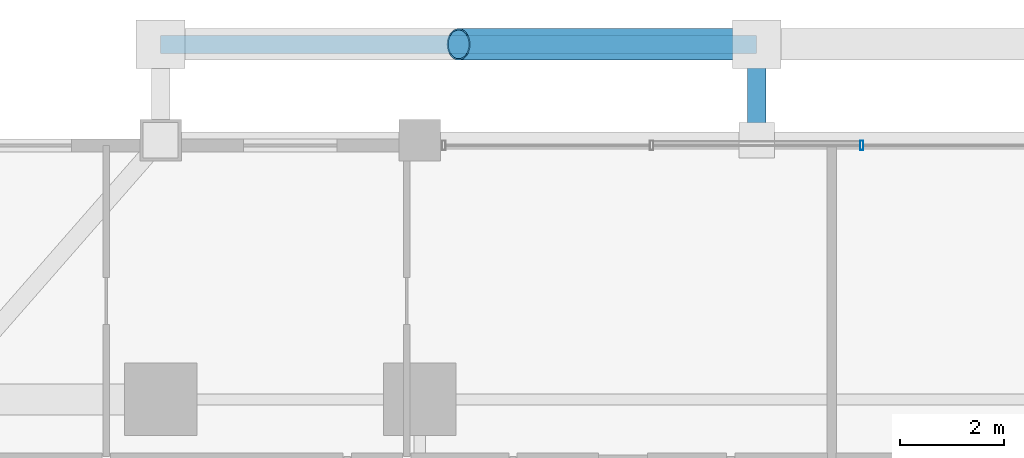
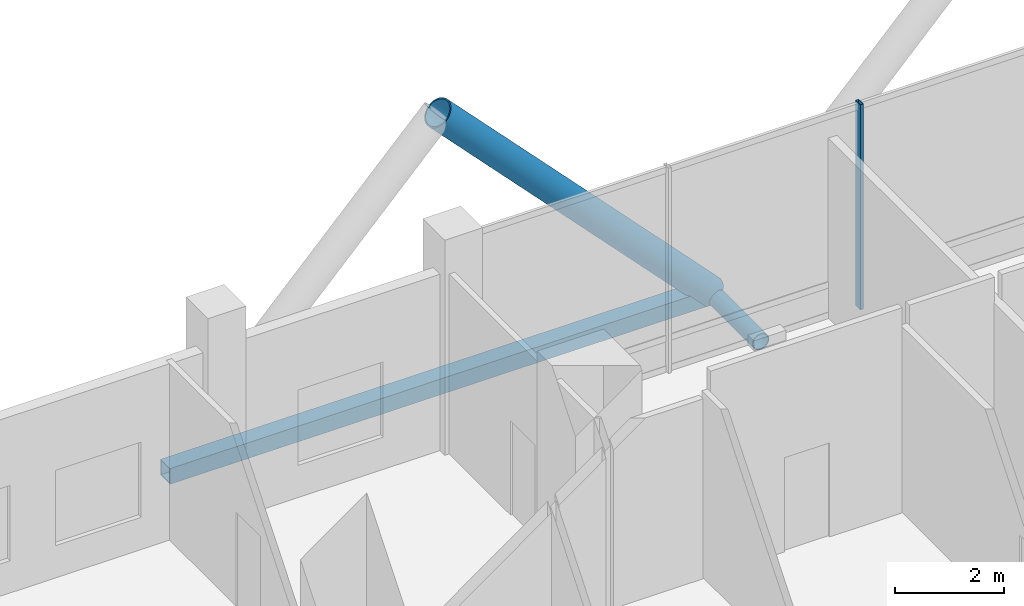
# One storey, part 17 of 33: 4 members, 1 element without a shape of its own.
"""IFC4 building model written with IfcOpenShell, lengths in metres."""

from ifc_helpers import new_model, si_unit, direction, frame, origin, origin_2d, place, context, subcontext, project, spatial, hollow_rectangle, hollow_circle, extrude, material, layer, layer_set, material_profile, profile_set, type_object, element, aggregate, save


model = new_model("IFC4")

# Units and contexts
model_context = context("Model", 3, precision=1e-05, world=origin(), true_north=direction((0.0, 1.0)))
body_context = subcontext(model_context, "Body", "Model", "MODEL_VIEW")
ifc_project = project(units=[si_unit("LENGTHUNIT", "METRE"), si_unit("AREAUNIT", "SQUARE_METRE"), si_unit("VOLUMEUNIT", "CUBIC_METRE"), si_unit("PLANEANGLEUNIT", "RADIAN"), si_unit("MASSUNIT", "GRAM", prefix="KILO")], contexts=[model_context])

# Site, building, storey
site_placement = place(None, origin())
site = spatial("IfcSite", under=ifc_project, at=site_placement, CompositionType="ELEMENT")
building_placement = place(site_placement, origin())
building = spatial("IfcBuilding", under=site, at=building_placement, Name="Barlavira Tower and Art Museum", CompositionType="ELEMENT")
storey_placement = place(building_placement, frame((0.0, 0.0, 27.60009765625)))
storey = spatial("IfcBuildingStorey", under=building, at=storey_placement, Name="L05", CompositionType="ELEMENT", Elevation=27.60009765625)

# Curtain wall, member
ifc_material_1 = material(Name="Low-iron coastal laminated glass", Category="glass")
ifc_layer = layer(ifc_material_1, 0.179931640625, Name="Low-iron coastal laminated glass")
ifc_layer_set = layer_set([ifc_layer], Name="Low-iron coastal laminated glass")
curtain_wall_type = type_object("IfcCurtainWallType", Name="Pale-Metal Unitised Curtain Wall Zone 1", PredefinedType="NOTDEFINED", material=ifc_layer_set)
curtain_wall_placement = place(storey_placement, origin())
curtain_wall = element("IfcCurtainWall", 1, at=curtain_wall_placement, inside=storey, type_object=curtain_wall_type, Name="L05 Curtain Wall CW1-L05-N-B3", PredefinedType="NOTDEFINED")
ifc_material_2 = material(Name="Pale anodised aluminium", Category="aluminium")
ifc_material_profile_1 = material_profile(ifc_material_2, hollow_rectangle(XDim=0.06494140625, YDim=0.179931640625, WallThickness=0.00390625, at=origin_2d()), Name="ALU-MULL 65x180x4")
ifc_profile_set_1 = profile_set([ifc_material_profile_1], Name="Pale anodised aluminium")
member_type_1 = type_object("IfcMemberType", Name="Curtain Wall Pale-Metal Mullion 65x180", PredefinedType="MULLION", material=ifc_profile_set_1)
member_1_placement = place(storey_placement, frame((2.026611328125, 24.89990234375, 0.0), z_axis=(0.0, 0.0, 1.0), x_axis=(-1.0, 0.0, 0.0)))
member_1 = element("IfcMember", 2, at=member_1_placement, type_object=member_type_1, Name="CW1-L05-N-B3 Mullion 1", PredefinedType="MULLION", context=body_context, shape_type="SweptSolid", body=[
    extrude(hollow_rectangle(XDim=0.06494140625, YDim=0.179931640625, WallThickness=0.00390625, at=origin_2d()), origin(), (0.0, 0.0, 1.0), 4.579833984375),
])
aggregate(curtain_wall, [member_1])

# Members
ifc_material_3 = material(Name="Steel S355", Category="steel")
ifc_material_profile_2 = material_profile(ifc_material_3, hollow_circle(Radius=0.304931640625, WallThickness=0.028076171875, at=origin_2d()), Name="CHS 610.0x28.0")
ifc_profile_set_2 = profile_set([ifc_material_profile_2], Name="Steel S355")
member_type_2 = type_object("IfcMemberType", Name="Pale-Metal Exoskeleton Diagrid Tube CHS 610x28 Steel S355", PredefinedType="BRACE", material=ifc_profile_set_2)
member_2_placement = place(storey_placement, frame((0.0, 26.85009765625, -0.1201171875), z_axis=(-0.691905363236, 0.0, 0.721988205115), x_axis=(0.0, -1.0, 0.0)))
element("IfcMember", 3, at=member_2_placement, inside=storey, type_object=member_type_2, Name="L05 Exoskeleton Diagrid Tube N", PredefinedType="BRACE", context=body_context, shape_type="SweptSolid", body=[
    extrude(hollow_circle(Radius=0.304931640625, WallThickness=0.028076171875, at=origin_2d()), origin(), (0.0, 0.0, 1.0), 8.310302734375),
])
ifc_material_profile_3 = material_profile(ifc_material_3, hollow_rectangle(XDim=0.35009765625, YDim=0.35009765625, WallThickness=0.02001953125, at=origin_2d()), Name="SHS 350x350x20.0")
ifc_profile_set_3 = profile_set([ifc_material_profile_3], Name="Steel S355")
member_type_3 = type_object("IfcMemberType", Name="Pale-Metal Exoskeleton Ring Strut SHS 350x350x20 Steel S355", PredefinedType="STRUT", material=ifc_profile_set_3)
member_3_placement = place(storey_placement, frame((-11.5, 26.85009765625, -0.1201171875), z_axis=(1.0, 0.0, 0.0), x_axis=(0.0, 1.0, 0.0)))
element("IfcMember", 4, at=member_3_placement, inside=storey, type_object=member_type_3, Name="L05 Exoskeleton Ring Strut N", PredefinedType="STRUT", context=body_context, shape_type="SweptSolid", body=[
    extrude(hollow_rectangle(XDim=0.35009765625, YDim=0.35009765625, WallThickness=0.02001953125, at=origin_2d()), origin(), (0.0, 0.0, 1.0), 11.5),
])
ifc_material_profile_4 = material_profile(ifc_material_3, hollow_circle(Radius=0.177734375, WallThickness=0.01611328125, at=origin_2d()), Name="CHS 355.6x16.0")
ifc_profile_set_4 = profile_set([ifc_material_profile_4], Name="Steel S355")
member_type_4 = type_object("IfcMemberType", Name="Pale-Metal Exoskeleton Tie Strut CHS 356x16 Steel S355", PredefinedType="STRUT", material=ifc_profile_set_4)
member_4_placement = place(storey_placement, frame((0.0, 26.85009765625, -0.1201171875), z_axis=(0.0, -1.0, 0.0), x_axis=(1.0, 0.0, 0.0)))
element("IfcMember", 5, at=member_4_placement, inside=storey, type_object=member_type_4, Name="L05 Exoskeleton Tie Strut N2", PredefinedType="STRUT", context=body_context, shape_type="SweptSolid", body=[
    extrude(hollow_circle(Radius=0.177734375, WallThickness=0.01611328125, at=origin_2d()), origin(), (0.0, 0.0, 1.0), 1.85009765625),
])

save(model, "model.ifc")
